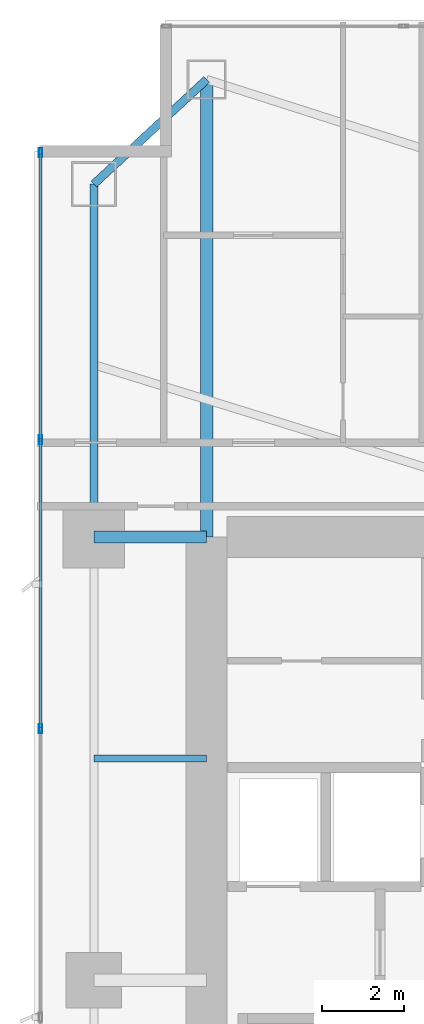
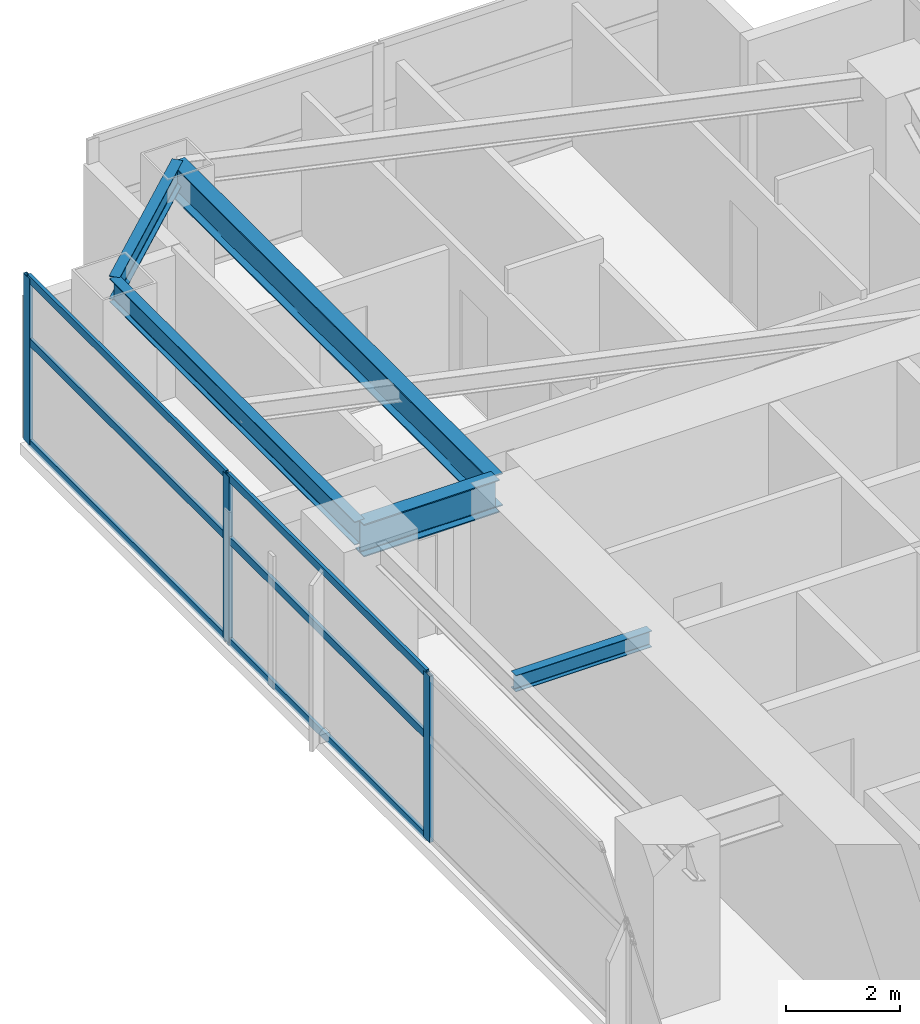
# One storey, part 16 of 29: 9 members, 5 beams, 1 element without a shape of its own.
"""IFC4 building model written with IfcOpenShell, lengths in metres."""

from ifc_helpers import new_model, si_unit, direction, frame, origin, origin_2d, place, context, subcontext, project, spatial, hollow_rectangle, i_section, extrude, material, layer, layer_set, material_profile, profile_set, type_object, element, aggregate, save


model = new_model("IFC4")

# Units and contexts
model_context = context("Model", 3, precision=1e-05, world=origin(), true_north=direction((0.0, 1.0)))
body_context = subcontext(model_context, "Body", "Model", "MODEL_VIEW")
ifc_project = project(units=[si_unit("LENGTHUNIT", "METRE"), si_unit("AREAUNIT", "SQUARE_METRE"), si_unit("VOLUMEUNIT", "CUBIC_METRE"), si_unit("PLANEANGLEUNIT", "RADIAN"), si_unit("MASSUNIT", "GRAM", prefix="KILO")], contexts=[model_context])

# Site, building, storey
site_placement = place(None, origin())
site = spatial("IfcSite", under=ifc_project, at=site_placement, CompositionType="ELEMENT")
building_placement = place(site_placement, origin())
building = spatial("IfcBuilding", under=site, at=building_placement, Name="Calvorn Quay Hotel", CompositionType="ELEMENT")
storey_placement = place(building_placement, frame((0.0, 0.0, 66.0)))
storey = spatial("IfcBuildingStorey", under=building, at=storey_placement, Name="L15", CompositionType="ELEMENT", Elevation=66.0)

# Beams
ifc_material_1 = material(Name="Steel Q390GJC", Category="steel")
ifc_material_profile_1 = material_profile(ifc_material_1, i_section(OverallWidth=0.300048828125, OverallDepth=0.699951171875, WebThickness=0.012939453125, FlangeThickness=0.02392578125, FilletRadius=0.02392578125, at=origin_2d()), Name="HN700x300x13x24")
ifc_profile_set_1 = profile_set([ifc_material_profile_1], Name="Steel Q390GJC")
beam_type_1 = type_object("IfcBeamType", Name="BM-GIRD-MAIN", PredefinedType="BEAM", material=ifc_profile_set_1)
beam_1_placement = place(storey_placement, frame((1.449951171875, 38.39990234375, 3.18994140625), z_axis=(1.0, 0.0, 0.0), x_axis=(0.0, 1.0, 0.0)))
element("IfcBeam", 1, at=beam_1_placement, inside=storey, type_object=beam_type_1, Name="Beam BG-L15-W3", PredefinedType="BEAM", context=body_context, shape_type="SweptSolid", body=[
    extrude(i_section(OverallWidth=0.300048828125, OverallDepth=0.699951171875, WebThickness=0.012939453125, FlangeThickness=0.02392578125, FilletRadius=0.02392578125, at=origin_2d()), origin(), (0.0, 0.0, 1.0), 2.75),
])
beam_2_placement = place(storey_placement, frame((4.199951171875, 49.550048828125, 3.18994140625), z_axis=(0.0, -1.0, 0.0), x_axis=(1.0, 0.0, 0.0)))
element("IfcBeam", 2, at=beam_2_placement, inside=storey, type_object=beam_type_1, Name="Beam BG-L15-W5", PredefinedType="BEAM", context=body_context, shape_type="SweptSolid", body=[
    extrude(i_section(OverallWidth=0.300048828125, OverallDepth=0.699951171875, WebThickness=0.012939453125, FlangeThickness=0.02392578125, FilletRadius=0.02392578125, at=origin_2d()), origin(), (0.0, 0.0, 1.0), 11.150146484375),
])
ifc_material_2 = material(Name="Steel Q355B", Category="steel")
ifc_material_profile_2 = material_profile(ifc_material_2, i_section(OverallWidth=0.175048828125, OverallDepth=0.35009765625, WebThickness=0.007080078125, FlangeThickness=0.010986328125, FilletRadius=0.013916015625, at=origin_2d()), Name="HN350x175x7x11")
ifc_profile_set_2 = profile_set([ifc_material_profile_2], Name="Steel Q355B")
beam_type_2 = type_object("IfcBeamType", Name="BM-JOIST-SEC", PredefinedType="JOIST", material=ifc_profile_set_2)
beam_3_placement = place(storey_placement, frame((1.449951171875, 33.0, 3.364990234375), z_axis=(1.0, 0.0, 0.0), x_axis=(0.0, 1.0, 0.0)))
element("IfcBeam", 3, at=beam_3_placement, inside=storey, type_object=beam_type_2, Name="Beam BJ-L15-W4", PredefinedType="JOIST", context=body_context, shape_type="SweptSolid", body=[
    extrude(i_section(OverallWidth=0.175048828125, OverallDepth=0.35009765625, WebThickness=0.007080078125, FlangeThickness=0.010986328125, FilletRadius=0.013916015625, at=origin_2d()), origin(), (0.0, 0.0, 1.0), 2.75),
])
ifc_material_3 = material(Name="Steel Q355B", Category="steel")
ifc_material_profile_3 = material_profile(ifc_material_3, i_section(OverallWidth=0.199951171875, OverallDepth=0.5, WebThickness=0.010009765625, FlangeThickness=0.01611328125, FilletRadius=0.01611328125, at=origin_2d()), Name="HN500x200x10x16")
ifc_profile_set_3 = profile_set([ifc_material_profile_3], Name="Steel Q355B")
beam_type_3 = type_object("IfcBeamType", Name="BM-SPANDREL-Z1", PredefinedType="SPANDREL", material=ifc_profile_set_3)
beam_4_placement = place(storey_placement, frame((1.449951171875, 38.39990234375, 3.2900390625), z_axis=(0.0, 1.0, 0.0), x_axis=(-1.0, 0.0, 0.0)))
element("IfcBeam", 4, at=beam_4_placement, inside=storey, type_object=beam_type_3, Name="Beam BSP-L15-W4", PredefinedType="SPANDREL", context=body_context, shape_type="SweptSolid", body=[
    extrude(i_section(OverallWidth=0.199951171875, OverallDepth=0.5, WebThickness=0.010009765625, FlangeThickness=0.01611328125, FilletRadius=0.01611328125, at=origin_2d()), origin(), (0.0, 0.0, 1.0), 8.60009765625),
])
beam_5_placement = place(storey_placement, frame((1.449951171875, 47.0, 3.2900390625), z_axis=(0.733261665538, 0.679946563969, 0.0), x_axis=(-0.679946563969, 0.733261665538, 0.0)))
element("IfcBeam", 5, at=beam_5_placement, inside=storey, type_object=beam_type_3, Name="Beam BSP-L15-W5", PredefinedType="SPANDREL", context=body_context, shape_type="SweptSolid", body=[
    extrude(i_section(OverallWidth=0.199951171875, OverallDepth=0.5, WebThickness=0.010009765625, FlangeThickness=0.01611328125, FilletRadius=0.01611328125, at=origin_2d()), origin(), (0.0, 0.0, 1.0), 3.75048828125),
])

# Curtain wall, members
ifc_material_4 = material(Name="Pale Anodised Aluminium and Low-E Glass", Category="aluminium")
ifc_layer = layer(ifc_material_4, 0.219970703125)
ifc_layer_set = layer_set([ifc_layer], Name="CW-SYS-Z1")
curtain_wall_type = type_object("IfcCurtainWallType", Name="CW-SYS-Z1", PredefinedType="NOTDEFINED", material=ifc_layer_set)
curtain_wall_placement = place(storey_placement, origin())
curtain_wall = element("IfcCurtainWall", 6, at=curtain_wall_placement, inside=storey, type_object=curtain_wall_type, Name="Tower West Curtain Wall (L15)", PredefinedType="NOTDEFINED")
ifc_material_5 = material(Name="Pale Anodised Aluminium 6063-T6", Category="aluminium")
ifc_material_profile_4 = material_profile(ifc_material_5, hollow_rectangle(XDim=0.074951171875, YDim=0.219970703125, WallThickness=0.00439453125, at=origin_2d()), Name="ALU-M220x75x4.5")
ifc_profile_set_4 = profile_set([ifc_material_profile_4], Name="Pale Anodised Aluminium 6063-T6")
member_type_1 = type_object("IfcMemberType", Name="CW-SYS-Z1-MUL", PredefinedType="MULLION", material=ifc_profile_set_4)
member_1_placement = place(storey_placement, frame((0.14990234375, 33.7333984375, 0.0), z_axis=(0.0, 0.0, 1.0), x_axis=(-1.0, 0.0, 0.0)))
member_1 = element("IfcMember", 7, at=member_1_placement, type_object=member_type_1, Name="CW-L15-W mullion 5", PredefinedType="MULLION", context=body_context, shape_type="SweptSolid", body=[
    extrude(hollow_rectangle(XDim=0.074951171875, YDim=0.219970703125, WallThickness=0.00439453125, at=origin_2d()), origin(), (0.0, 0.0, 1.0), 3.56005859375),
])
member_2_placement = place(storey_placement, frame((0.14990234375, 40.7666015625, 0.0), z_axis=(0.0, 0.0, 1.0), x_axis=(-1.0, 0.0, 0.0)))
member_2 = element("IfcMember", 8, at=member_2_placement, type_object=member_type_1, Name="CW-L15-W mullion 6", PredefinedType="MULLION", context=body_context, shape_type="SweptSolid", body=[
    extrude(hollow_rectangle(XDim=0.074951171875, YDim=0.219970703125, WallThickness=0.00439453125, at=origin_2d()), origin(), (0.0, 0.0, 1.0), 3.56005859375),
])
member_3_placement = place(storey_placement, frame((0.14990234375, 47.77001953125, 0.0), z_axis=(0.0, 0.0, 1.0), x_axis=(-1.0, 0.0, 0.0)))
member_3 = element("IfcMember", 9, at=member_3_placement, type_object=member_type_1, Name="CW-L15-W mullion 7", PredefinedType="MULLION", context=body_context, shape_type="SweptSolid", body=[
    extrude(hollow_rectangle(XDim=0.074951171875, YDim=0.219970703125, WallThickness=0.00439453125, at=origin_2d()), origin(), (0.0, 0.0, 1.0), 3.56005859375),
])
ifc_material_6 = material(Name="Pale Anodised Aluminium 6063-T6", Category="aluminium")
ifc_material_profile_5 = material_profile(ifc_material_6, hollow_rectangle(XDim=0.06494140625, YDim=0.1650390625, WallThickness=0.00341796875, at=origin_2d()), Name="ALU-T165x65x3.5")
ifc_profile_set_5 = profile_set([ifc_material_profile_5], Name="Pale Anodised Aluminium 6063-T6")
member_type_2 = type_object("IfcMemberType", Name="CW-SYS-Z1-TRN", PredefinedType="USERDEFINED", material=ifc_profile_set_5)
member_4_placement = place(storey_placement, frame((0.14990234375, 33.763427734375, 0.030029296875), z_axis=(0.0, 1.0, 0.0), x_axis=(-1.0, 0.0, 0.0)))
member_4 = element("IfcMember", 10, at=member_4_placement, type_object=member_type_2, Name="CW-L15-W transom 5.1", ObjectType="TRANSOM", PredefinedType="USERDEFINED", context=body_context, shape_type="SweptSolid", body=[
    extrude(hollow_rectangle(XDim=0.06494140625, YDim=0.1650390625, WallThickness=0.00341796875, at=origin_2d()), origin(), (0.0, 0.0, 1.0), 6.97314453125),
])
member_5_placement = place(storey_placement, frame((0.14990234375, 33.763427734375, 2.199951171875), z_axis=(0.0, 1.0, 0.0), x_axis=(-1.0, 0.0, 0.0)))
member_5 = element("IfcMember", 11, at=member_5_placement, type_object=member_type_2, Name="CW-L15-W transom 5.2", ObjectType="TRANSOM", PredefinedType="USERDEFINED", context=body_context, shape_type="SweptSolid", body=[
    extrude(hollow_rectangle(XDim=0.06494140625, YDim=0.1650390625, WallThickness=0.00341796875, at=origin_2d()), origin(), (0.0, 0.0, 1.0), 6.97314453125),
])
member_6_placement = place(storey_placement, frame((0.14990234375, 33.763427734375, 3.530029296875), z_axis=(0.0, 1.0, 0.0), x_axis=(-1.0, 0.0, 0.0)))
member_6 = element("IfcMember", 12, at=member_6_placement, type_object=member_type_2, Name="CW-L15-W transom 5.3", ObjectType="TRANSOM", PredefinedType="USERDEFINED", context=body_context, shape_type="SweptSolid", body=[
    extrude(hollow_rectangle(XDim=0.06494140625, YDim=0.1650390625, WallThickness=0.00341796875, at=origin_2d()), origin(), (0.0, 0.0, 1.0), 6.97314453125),
])
member_7_placement = place(storey_placement, frame((0.14990234375, 40.796630859375, 0.030029296875), z_axis=(0.0, 1.0, 0.0), x_axis=(-1.0, 0.0, 0.0)))
member_7 = element("IfcMember", 13, at=member_7_placement, type_object=member_type_2, Name="CW-L15-W transom 6.1", ObjectType="TRANSOM", PredefinedType="USERDEFINED", context=body_context, shape_type="SweptSolid", body=[
    extrude(hollow_rectangle(XDim=0.06494140625, YDim=0.1650390625, WallThickness=0.00341796875, at=origin_2d()), origin(), (0.0, 0.0, 1.0), 6.943359375),
])
member_8_placement = place(storey_placement, frame((0.14990234375, 40.796630859375, 2.199951171875), z_axis=(0.0, 1.0, 0.0), x_axis=(-1.0, 0.0, 0.0)))
member_8 = element("IfcMember", 14, at=member_8_placement, type_object=member_type_2, Name="CW-L15-W transom 6.2", ObjectType="TRANSOM", PredefinedType="USERDEFINED", context=body_context, shape_type="SweptSolid", body=[
    extrude(hollow_rectangle(XDim=0.06494140625, YDim=0.1650390625, WallThickness=0.00341796875, at=origin_2d()), origin(), (0.0, 0.0, 1.0), 6.943359375),
])
member_9_placement = place(storey_placement, frame((0.14990234375, 40.796630859375, 3.530029296875), z_axis=(0.0, 1.0, 0.0), x_axis=(-1.0, 0.0, 0.0)))
member_9 = element("IfcMember", 15, at=member_9_placement, type_object=member_type_2, Name="CW-L15-W transom 6.3", ObjectType="TRANSOM", PredefinedType="USERDEFINED", context=body_context, shape_type="SweptSolid", body=[
    extrude(hollow_rectangle(XDim=0.06494140625, YDim=0.1650390625, WallThickness=0.00341796875, at=origin_2d()), origin(), (0.0, 0.0, 1.0), 6.943359375),
])
aggregate(curtain_wall, [member_1, member_2, member_3, member_4, member_5, member_6, member_7, member_8, member_9])

save(model, "model.ifc")
